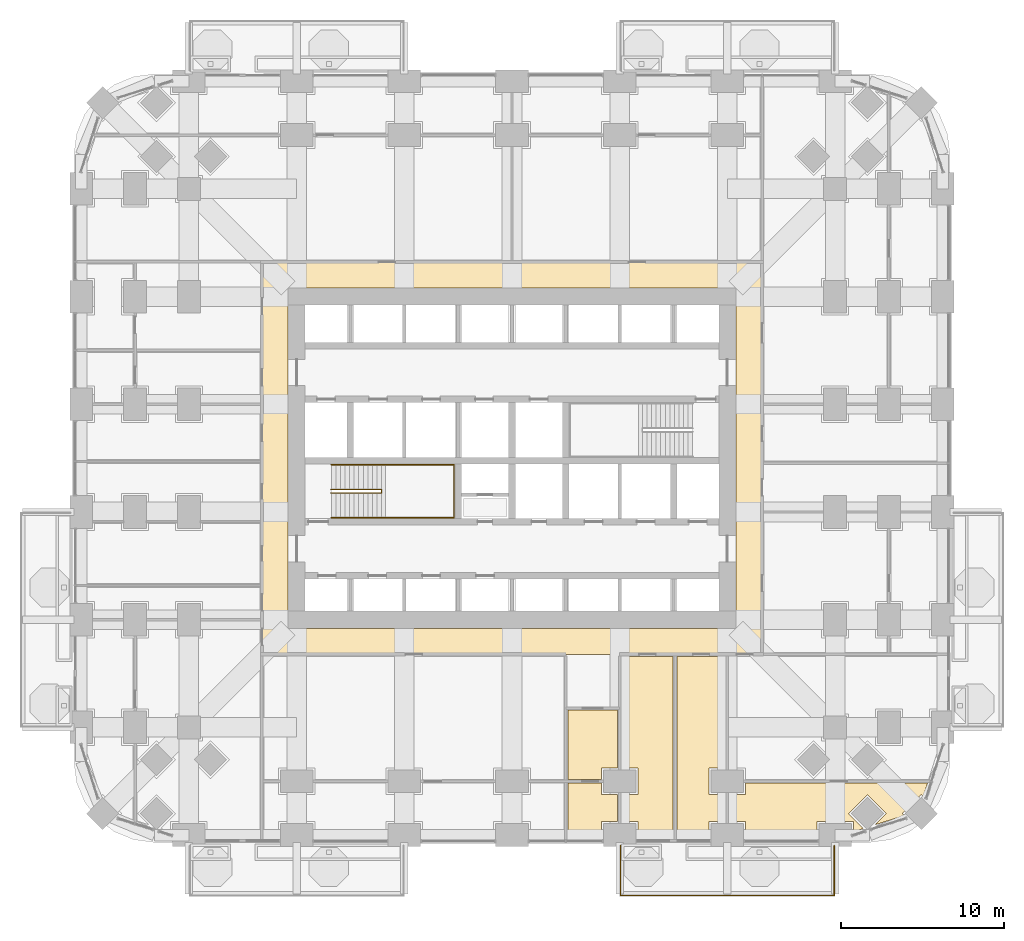
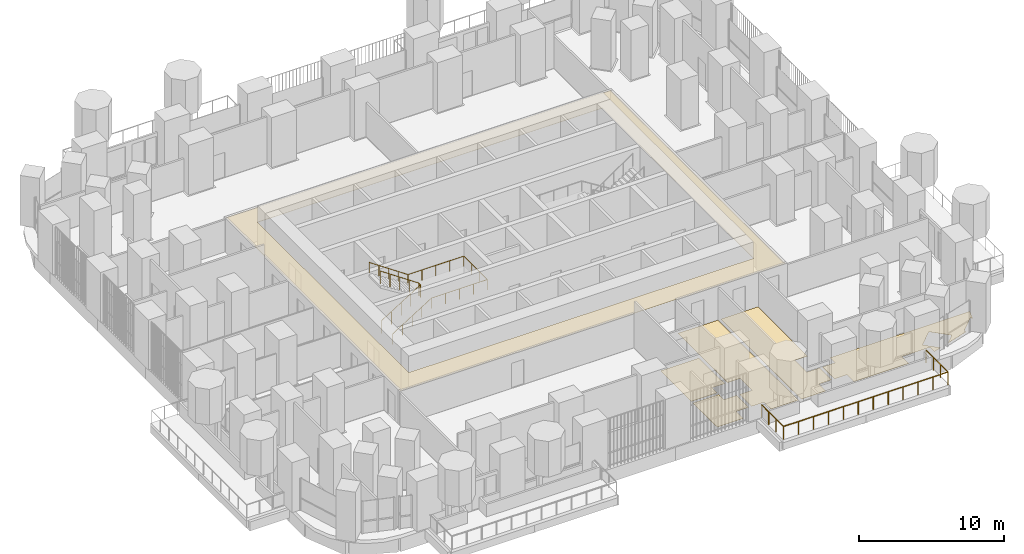
# One storey, part 22 of 25: 6 coverings, 3 railings.
"""IFC4 building model written with IfcOpenShell, lengths in metres."""

from ifc_helpers import new_model, si_unit, direction, frame, origin, place, context, subcontext, project, spatial, polyline, outline, extrude, material, layer, layer_set, type_object, element, save


model = new_model("IFC4")

# Units and contexts
model_context = context("Model", 3, precision=1e-05, world=origin(), true_north=direction((0.0, 1.0)))
body_context = subcontext(model_context, "Body", "Model", "MODEL_VIEW")
ifc_project = project(units=[si_unit("LENGTHUNIT", "METRE"), si_unit("AREAUNIT", "SQUARE_METRE"), si_unit("VOLUMEUNIT", "CUBIC_METRE"), si_unit("PLANEANGLEUNIT", "RADIAN"), si_unit("MASSUNIT", "GRAM", prefix="KILO")], contexts=[model_context])

# Site, building, storey
site_placement = place(None, origin())
site = spatial("IfcSite", under=ifc_project, at=site_placement, CompositionType="ELEMENT")
building_placement = place(site_placement, origin())
building = spatial("IfcBuilding", under=site, at=building_placement, Name="Cobogo Forest Laboratory Tower", CompositionType="ELEMENT")
storey_placement = place(building_placement, frame((0.0, 0.0, 21.300048828125)))
storey = spatial("IfcBuildingStorey", under=building, at=storey_placement, Name="L04", CompositionType="ELEMENT", Elevation=21.300048828125)

# Railing
ifc_material_1 = material(Name="Laminated glass balustrade", Category="glass")
railing_type_1 = type_object("IfcRailingType", Name="BG1 glass balustrade 1100", PredefinedType="GUARDRAIL", material=ifc_material_1)
railing_1_placement = place(storey_placement, frame((33.050048828125, -0.64990234375, 0.0)))
element("IfcRailing", 1, at=railing_1_placement, inside=storey, type_object=railing_type_1, Name="Balcony balustrade BAL-S2 L04", PredefinedType="GUARDRAIL", context=body_context, shape_type="SweptSolid", body=[
    extrude(outline(polyline([(0.022216796875, 0.00927734375), (0.00927734375, 0.022216796875), (-0.00927734375, 0.022216796875), (-0.022216796875, 0.00927734375), (-0.022216796875, -0.00927734375), (-0.00927734375, -0.022216796875), (0.00927734375, -0.022216796875), (0.022216796875, -0.00927734375), (0.022216796875, 0.00927734375)])), frame((0.0, 0.0, 1.077880859375), z_axis=(0.0, -1.0, 0.0), x_axis=(1.0, 0.0, 0.0)), (0.0, 0.0, 1.0), 3.050048828125),
    extrude(outline(polyline([(0.022216796875, 0.00927734375), (0.00927734375, 0.022216796875), (-0.00927734375, 0.022216796875), (-0.022216796875, 0.00927734375), (-0.022216796875, -0.00927734375), (-0.00927734375, -0.022216796875), (0.00927734375, -0.022216796875), (0.022216796875, -0.00927734375), (0.022216796875, 0.00927734375)])), frame((0.0, -3.050048828125, 1.077880859375), z_axis=(1.0, 0.0, 0.0), x_axis=(0.0, 1.0, 0.0)), (0.0, 0.0, 1.0), 13.099853515625),
    extrude(outline(polyline([(0.022216796875, 0.00927734375), (0.00927734375, 0.022216796875), (-0.00927734375, 0.022216796875), (-0.022216796875, 0.00927734375), (-0.022216796875, -0.00927734375), (-0.00927734375, -0.022216796875), (0.00927734375, -0.022216796875), (0.022216796875, -0.00927734375), (0.022216796875, 0.00927734375)])), frame((13.099853515625, -3.050048828125, 1.077880859375), z_axis=(0.0, 1.0, 0.0), x_axis=(-1.0, 0.0, 0.0)), (0.0, 0.0, 1.0), 3.050048828125),
    extrude(outline(polyline([(0.019287109375, 0.008056640625), (0.008056640625, 0.019287109375), (-0.008056640625, 0.019287109375), (-0.019287109375, 0.008056640625), (-0.019287109375, -0.008056640625), (-0.008056640625, -0.019287109375), (0.008056640625, -0.019287109375), (0.019287109375, -0.008056640625), (0.019287109375, 0.008056640625)])), origin(), (0.0, 0.0, 1.0), 1.077880859375),
    extrude(outline(polyline([(0.019287109375, 0.008056640625), (0.008056640625, 0.019287109375), (-0.008056640625, 0.019287109375), (-0.019287109375, 0.008056640625), (-0.019287109375, -0.008056640625), (-0.008056640625, -0.019287109375), (0.008056640625, -0.019287109375), (0.019287109375, -0.008056640625), (0.019287109375, 0.008056640625)])), frame((0.0, -1.0166015625, 0.0)), (0.0, 0.0, 1.0), 1.077880859375),
    extrude(outline(polyline([(0.019287109375, 0.008056640625), (0.008056640625, 0.019287109375), (-0.008056640625, 0.019287109375), (-0.019287109375, 0.008056640625), (-0.019287109375, -0.008056640625), (-0.008056640625, -0.019287109375), (0.008056640625, -0.019287109375), (0.019287109375, -0.008056640625), (0.019287109375, 0.008056640625)])), frame((0.0, -2.033447265625, 0.0)), (0.0, 0.0, 1.0), 1.077880859375),
    extrude(outline(polyline([(0.019287109375, 0.008056640625), (0.008056640625, 0.019287109375), (-0.008056640625, 0.019287109375), (-0.019287109375, 0.008056640625), (-0.019287109375, -0.008056640625), (-0.008056640625, -0.019287109375), (0.008056640625, -0.019287109375), (0.019287109375, -0.008056640625), (0.019287109375, 0.008056640625)])), frame((0.0, -3.050048828125, 0.0)), (0.0, 0.0, 1.0), 1.077880859375),
    extrude(outline(polyline([(0.019287109375, 0.008056640625), (0.008056640625, 0.019287109375), (-0.008056640625, 0.019287109375), (-0.019287109375, 0.008056640625), (-0.019287109375, -0.008056640625), (-0.008056640625, -0.019287109375), (0.008056640625, -0.019287109375), (0.019287109375, -0.008056640625), (0.019287109375, 0.008056640625)])), frame((1.19091796875, -3.050048828125, 0.0)), (0.0, 0.0, 1.0), 1.077880859375),
    extrude(outline(polyline([(0.019287109375, 0.008056640625), (0.008056640625, 0.019287109375), (-0.008056640625, 0.019287109375), (-0.019287109375, 0.008056640625), (-0.019287109375, -0.008056640625), (-0.008056640625, -0.019287109375), (0.008056640625, -0.019287109375), (0.019287109375, -0.008056640625), (0.019287109375, 0.008056640625)])), frame((2.3818359375, -3.050048828125, 0.0)), (0.0, 0.0, 1.0), 1.077880859375),
    extrude(outline(polyline([(0.019287109375, 0.008056640625), (0.008056640625, 0.019287109375), (-0.008056640625, 0.019287109375), (-0.019287109375, 0.008056640625), (-0.019287109375, -0.008056640625), (-0.008056640625, -0.019287109375), (0.008056640625, -0.019287109375), (0.019287109375, -0.008056640625), (0.019287109375, 0.008056640625)])), frame((3.57275390625, -3.050048828125, 0.0)), (0.0, 0.0, 1.0), 1.077880859375),
    extrude(outline(polyline([(0.019287109375, 0.008056640625), (0.008056640625, 0.019287109375), (-0.008056640625, 0.019287109375), (-0.019287109375, 0.008056640625), (-0.019287109375, -0.008056640625), (-0.008056640625, -0.019287109375), (0.008056640625, -0.019287109375), (0.019287109375, -0.008056640625), (0.019287109375, 0.008056640625)])), frame((4.763671875, -3.050048828125, 0.0)), (0.0, 0.0, 1.0), 1.077880859375),
    extrude(outline(polyline([(0.019287109375, 0.008056640625), (0.008056640625, 0.019287109375), (-0.008056640625, 0.019287109375), (-0.019287109375, 0.008056640625), (-0.019287109375, -0.008056640625), (-0.008056640625, -0.019287109375), (0.008056640625, -0.019287109375), (0.019287109375, -0.008056640625), (0.019287109375, 0.008056640625)])), frame((5.95458984375, -3.050048828125, 0.0)), (0.0, 0.0, 1.0), 1.077880859375),
    extrude(outline(polyline([(0.019287109375, 0.008056640625), (0.008056640625, 0.019287109375), (-0.008056640625, 0.019287109375), (-0.019287109375, 0.008056640625), (-0.019287109375, -0.008056640625), (-0.008056640625, -0.019287109375), (0.008056640625, -0.019287109375), (0.019287109375, -0.008056640625), (0.019287109375, 0.008056640625)])), frame((7.145263671875, -3.050048828125, 0.0)), (0.0, 0.0, 1.0), 1.077880859375),
    extrude(outline(polyline([(0.019287109375, 0.008056640625), (0.008056640625, 0.019287109375), (-0.008056640625, 0.019287109375), (-0.019287109375, 0.008056640625), (-0.019287109375, -0.008056640625), (-0.008056640625, -0.019287109375), (0.008056640625, -0.019287109375), (0.019287109375, -0.008056640625), (0.019287109375, 0.008056640625)])), frame((8.336181640625, -3.050048828125, 0.0)), (0.0, 0.0, 1.0), 1.077880859375),
    extrude(outline(polyline([(0.019287109375, 0.008056640625), (0.008056640625, 0.019287109375), (-0.008056640625, 0.019287109375), (-0.019287109375, 0.008056640625), (-0.019287109375, -0.008056640625), (-0.008056640625, -0.019287109375), (0.008056640625, -0.019287109375), (0.019287109375, -0.008056640625), (0.019287109375, 0.008056640625)])), frame((9.527099609375, -3.050048828125, 0.0)), (0.0, 0.0, 1.0), 1.077880859375),
    extrude(outline(polyline([(0.019287109375, 0.008056640625), (0.008056640625, 0.019287109375), (-0.008056640625, 0.019287109375), (-0.019287109375, 0.008056640625), (-0.019287109375, -0.008056640625), (-0.008056640625, -0.019287109375), (0.008056640625, -0.019287109375), (0.019287109375, -0.008056640625), (0.019287109375, 0.008056640625)])), frame((10.718017578125, -3.050048828125, 0.0)), (0.0, 0.0, 1.0), 1.077880859375),
    extrude(outline(polyline([(0.019287109375, 0.008056640625), (0.008056640625, 0.019287109375), (-0.008056640625, 0.019287109375), (-0.019287109375, 0.008056640625), (-0.019287109375, -0.008056640625), (-0.008056640625, -0.019287109375), (0.008056640625, -0.019287109375), (0.019287109375, -0.008056640625), (0.019287109375, 0.008056640625)])), frame((11.908935546875, -3.050048828125, 0.0)), (0.0, 0.0, 1.0), 1.077880859375),
    extrude(outline(polyline([(0.019287109375, 0.008056640625), (0.008056640625, 0.019287109375), (-0.008056640625, 0.019287109375), (-0.019287109375, 0.008056640625), (-0.019287109375, -0.008056640625), (-0.008056640625, -0.019287109375), (0.008056640625, -0.019287109375), (0.019287109375, -0.008056640625), (0.019287109375, 0.008056640625)])), frame((13.099853515625, -3.050048828125, 0.0)), (0.0, 0.0, 1.0), 1.077880859375),
    extrude(outline(polyline([(0.019287109375, 0.008056640625), (0.008056640625, 0.019287109375), (-0.008056640625, 0.019287109375), (-0.019287109375, 0.008056640625), (-0.019287109375, -0.008056640625), (-0.008056640625, -0.019287109375), (0.008056640625, -0.019287109375), (0.019287109375, -0.008056640625), (0.019287109375, 0.008056640625)])), frame((13.099853515625, -2.033447265625, 0.0)), (0.0, 0.0, 1.0), 1.077880859375),
    extrude(outline(polyline([(0.019287109375, 0.008056640625), (0.008056640625, 0.019287109375), (-0.008056640625, 0.019287109375), (-0.019287109375, 0.008056640625), (-0.019287109375, -0.008056640625), (-0.008056640625, -0.019287109375), (0.008056640625, -0.019287109375), (0.019287109375, -0.008056640625), (0.019287109375, 0.008056640625)])), frame((13.099853515625, -1.0166015625, 0.0)), (0.0, 0.0, 1.0), 1.077880859375),
    extrude(outline(polyline([(0.019287109375, 0.008056640625), (0.008056640625, 0.019287109375), (-0.008056640625, 0.019287109375), (-0.019287109375, 0.008056640625), (-0.019287109375, -0.008056640625), (-0.008056640625, -0.019287109375), (0.008056640625, -0.019287109375), (0.019287109375, -0.008056640625), (0.019287109375, 0.008056640625)])), frame((13.099853515625, 0.0, 0.0)), (0.0, 0.0, 1.0), 1.077880859375),
])

# Coverings
ifc_material_2 = material(Name="Mineral fibre ceiling tile", Category="ceiling")
ifc_layer_1 = layer(ifc_material_2, 0.02001953125)
ifc_layer_set_1 = layer_set([ifc_layer_1], Name="CL1 suspended ceiling")
covering_type_1 = type_object("IfcCoveringType", Name="CL1 suspended ceiling", PredefinedType="CEILING", material=ifc_layer_set_1)
covering_1_placement = place(storey_placement, frame((0.0, 0.0, 2.800048828125)))
element("IfcCovering", 2, at=covering_1_placement, inside=storey, type_object=covering_type_1, Name="Corridor ceiling L04", PredefinedType="CEILING", context=body_context, shape_type="SweptSolid", body=[
    extrude(outline(polyline([(11.074951171875, 11.074951171875), (11.074951171875, 35.125), (41.72509765625, 35.125), (41.72509765625, 11.074951171875), (11.074951171875, 11.074951171875)]), holes=[polyline([(40.125, 33.52490234375), (12.675048828125, 33.52490234375), (12.675048828125, 12.675048828125), (40.125, 12.675048828125), (40.125, 33.52490234375)])]), origin(), (0.0, 0.0, 1.0), 0.02001953125),
])
ifc_material_3 = material(Name="Carpet tile on raised access floor", Category="flooring")
ifc_layer_2 = layer(ifc_material_3, 0.008056640625)
ifc_layer_set_2 = layer_set([ifc_layer_2], Name="CT1 carpet tile floor 8")
covering_type_2 = type_object("IfcCoveringType", Name="CT1 carpet tile floor 8", PredefinedType="FLOORING", material=ifc_layer_set_2)
covering_2_placement = place(storey_placement, origin())
element("IfcCovering", 3, at=covering_2_placement, inside=storey, type_object=covering_type_2, Name="Carpet floor L04-04", PredefinedType="FLOORING", context=body_context, shape_type="SweptSolid", body=[
    extrude(outline(polyline([(31.8798828125, 3.179931640625), (31.8798828125, 2.47998046875), (32.8798828125, 2.47998046875), (32.8798828125, 0.820068359375), (31.8798828125, 0.820068359375), (31.8798828125, -0.14990234375), (29.820068359375, -0.14990234375), (29.820068359375, 3.179931640625), (31.8798828125, 3.179931640625)])), origin(), (0.0, 0.0, 1.0), 0.008056640625),
])
covering_3_placement = place(storey_placement, origin())
element("IfcCovering", 4, at=covering_3_placement, inside=storey, type_object=covering_type_2, Name="Carpet floor L04-05", PredefinedType="FLOORING", context=body_context, shape_type="SweptSolid", body=[
    extrude(outline(polyline([(36.280029296875, 10.955078125), (36.280029296875, -0.14990234375), (34.1201171875, -0.14990234375), (34.1201171875, 0.820068359375), (33.1201171875, 0.820068359375), (33.1201171875, 2.47998046875), (34.1201171875, 2.47998046875), (34.1201171875, 4.1201171875), (33.1201171875, 4.1201171875), (33.1201171875, 10.955078125), (36.280029296875, 10.955078125)])), origin(), (0.0, 0.0, 1.0), 0.008056640625),
])
covering_4_placement = place(storey_placement, origin())
element("IfcCovering", 5, at=covering_4_placement, inside=storey, type_object=covering_type_2, Name="Carpet floor L04-08", PredefinedType="FLOORING", context=body_context, shape_type="SweptSolid", body=[
    extrude(outline(polyline([(51.8603515625, 3.179931640625), (51.600830078125, 2.358642578125), (51.48193359375, 2.477783203125), (50.322265625, 1.318115234375), (50.441162109375, 1.19921875), (48.660400390625, 0.63671875), (49.341552734375, 1.318115234375), (48.181884765625, 2.477783203125), (47.022216796875, 1.318115234375), (47.933349609375, 0.406982421875), (47.320068359375, 0.21337890625), (47.320068359375, 0.820068359375), (45.080078125, 0.820068359375), (45.080078125, -0.14990234375), (40.719970703125, -0.14990234375), (40.719970703125, 0.820068359375), (39.719970703125, 0.820068359375), (39.719970703125, 2.47998046875), (40.719970703125, 2.47998046875), (40.719970703125, 3.179931640625), (51.8603515625, 3.179931640625)])), origin(), (0.0, 0.0, 1.0), 0.008056640625),
])

# Railings
ifc_material_4 = material(Name="Steel balustrade", Category="steel")
railing_type_2 = type_object("IfcRailingType", Name="GR stair guard 1100", PredefinedType="GUARDRAIL", material=ifc_material_4)
railing_2_placement = place(storey_placement, frame((15.324951171875, 20.969970703125, 0.175048828125)))
element("IfcRailing", 6, at=railing_2_placement, inside=storey, type_object=railing_type_2, Name="Stair guard ST1 L04", PredefinedType="GUARDRAIL", context=body_context, shape_type="SweptSolid", body=[
    extrude(outline(polyline([(0.022216796875, 0.00927734375), (0.00927734375, 0.022216796875), (-0.00927734375, 0.022216796875), (-0.022216796875, 0.00927734375), (-0.022216796875, -0.00927734375), (-0.00927734375, -0.022216796875), (0.00927734375, -0.022216796875), (0.022216796875, -0.00927734375), (0.022216796875, 0.00927734375)])), frame((0.0, 0.0, 1.077880859375), z_axis=(0.848028513186, 0.0, 0.529950602248), x_axis=(0.0, 1.0, 0.0)), (0.0, 0.0, 1.0), 3.632080078125),
    extrude(outline(polyline([(0.022216796875, 0.00927734375), (0.00927734375, 0.022216796875), (-0.00927734375, 0.022216796875), (-0.022216796875, 0.00927734375), (-0.022216796875, -0.00927734375), (-0.00927734375, -0.022216796875), (0.00927734375, -0.022216796875), (0.022216796875, -0.00927734375), (0.022216796875, 0.00927734375)])), frame((3.080078125, 0.0, 3.002685546875), z_axis=(0.0, 1.0, 0.0), x_axis=(-1.0, 0.0, 0.0)), (0.0, 0.0, 1.0), 0.2099609375),
    extrude(outline(polyline([(0.022216796875, 0.00927734375), (0.00927734375, 0.022216796875), (-0.00927734375, 0.022216796875), (-0.022216796875, 0.00927734375), (-0.022216796875, -0.00927734375), (-0.00927734375, -0.022216796875), (0.00927734375, -0.022216796875), (0.022216796875, -0.00927734375), (0.022216796875, 0.00927734375)])), frame((3.080078125, 0.2099609375, 3.002685546875), z_axis=(-0.826221800596, 0.0, 0.563344953133), x_axis=(0.0, -1.0, 0.0)), (0.0, 0.0, 1.0), 3.72802734375),
    extrude(outline(polyline([(0.019287109375, 0.008056640625), (0.008056640625, 0.019287109375), (-0.008056640625, 0.019287109375), (-0.019287109375, 0.008056640625), (-0.019287109375, -0.008056640625), (-0.008056640625, -0.019287109375), (0.008056640625, -0.019287109375), (0.019287109375, -0.008056640625), (0.019287109375, 0.008056640625)])), origin(), (0.0, 0.0, 1.0), 1.077880859375),
    extrude(outline(polyline([(0.019287109375, 0.008056640625), (0.008056640625, 0.019287109375), (-0.008056640625, 0.019287109375), (-0.019287109375, 0.008056640625), (-0.019287109375, -0.008056640625), (-0.008056640625, -0.019287109375), (0.008056640625, -0.019287109375), (0.019287109375, -0.008056640625), (0.019287109375, 0.008056640625)])), frame((0.77001953125, 0.0, 0.481201171875)), (0.0, 0.0, 1.0), 1.077880859375),
    extrude(outline(polyline([(0.019287109375, 0.008056640625), (0.008056640625, 0.019287109375), (-0.008056640625, 0.019287109375), (-0.019287109375, 0.008056640625), (-0.019287109375, -0.008056640625), (-0.008056640625, -0.019287109375), (0.008056640625, -0.019287109375), (0.019287109375, -0.008056640625), (0.019287109375, 0.008056640625)])), frame((1.5400390625, 0.0, 0.96240234375)), (0.0, 0.0, 1.0), 1.077880859375),
    extrude(outline(polyline([(0.019287109375, 0.008056640625), (0.008056640625, 0.019287109375), (-0.008056640625, 0.019287109375), (-0.019287109375, 0.008056640625), (-0.019287109375, -0.008056640625), (-0.008056640625, -0.019287109375), (0.008056640625, -0.019287109375), (0.019287109375, -0.008056640625), (0.019287109375, 0.008056640625)])), frame((2.31005859375, 0.0, 1.443603515625)), (0.0, 0.0, 1.0), 1.077880859375),
    extrude(outline(polyline([(0.019287109375, 0.008056640625), (0.008056640625, 0.019287109375), (-0.008056640625, 0.019287109375), (-0.019287109375, 0.008056640625), (-0.019287109375, -0.008056640625), (-0.008056640625, -0.019287109375), (0.008056640625, -0.019287109375), (0.019287109375, -0.008056640625), (0.019287109375, 0.008056640625)])), frame((3.080078125, 0.0, 1.9248046875)), (0.0, 0.0, 1.0), 1.077880859375),
    extrude(outline(polyline([(0.019287109375, 0.008056640625), (0.008056640625, 0.019287109375), (-0.008056640625, 0.019287109375), (-0.019287109375, 0.008056640625), (-0.019287109375, -0.008056640625), (-0.008056640625, -0.019287109375), (0.008056640625, -0.019287109375), (0.019287109375, -0.008056640625), (0.019287109375, 0.008056640625)])), frame((3.080078125, 0.2099609375, 1.9248046875)), (0.0, 0.0, 1.0), 1.077880859375),
    extrude(outline(polyline([(0.019287109375, 0.008056640625), (0.008056640625, 0.019287109375), (-0.008056640625, 0.019287109375), (-0.019287109375, 0.008056640625), (-0.019287109375, -0.008056640625), (-0.008056640625, -0.019287109375), (0.008056640625, -0.019287109375), (0.019287109375, -0.008056640625), (0.019287109375, 0.008056640625)])), frame((2.31005859375, 0.2099609375, 2.44970703125)), (0.0, 0.0, 1.0), 1.077880859375),
    extrude(outline(polyline([(0.019287109375, 0.008056640625), (0.008056640625, 0.019287109375), (-0.008056640625, 0.019287109375), (-0.019287109375, 0.008056640625), (-0.019287109375, -0.008056640625), (-0.008056640625, -0.019287109375), (0.008056640625, -0.019287109375), (0.019287109375, -0.008056640625), (0.019287109375, 0.008056640625)])), frame((1.5400390625, 0.2099609375, 2.974853515625)), (0.0, 0.0, 1.0), 1.077880859375),
    extrude(outline(polyline([(0.019287109375, 0.008056640625), (0.008056640625, 0.019287109375), (-0.008056640625, 0.019287109375), (-0.019287109375, 0.008056640625), (-0.019287109375, -0.008056640625), (-0.008056640625, -0.019287109375), (0.008056640625, -0.019287109375), (0.019287109375, -0.008056640625), (0.019287109375, 0.008056640625)])), frame((0.77001953125, 0.2099609375, 3.5)), (0.0, 0.0, 1.0), 1.077880859375),
    extrude(outline(polyline([(0.019287109375, 0.008056640625), (0.008056640625, 0.019287109375), (-0.008056640625, 0.019287109375), (-0.019287109375, 0.008056640625), (-0.019287109375, -0.008056640625), (-0.008056640625, -0.019287109375), (0.008056640625, -0.019287109375), (0.019287109375, -0.008056640625), (0.019287109375, 0.008056640625)])), frame((0.0, 0.2099609375, 4.02490234375)), (0.0, 0.0, 1.0), 1.077880859375),
])
ifc_material_5 = material(Name="Stainless steel handrail", Category="steel")
railing_type_3 = type_object("IfcRailingType", Name="HR handrail 900", PredefinedType="HANDRAIL", material=ifc_material_5)
railing_3_placement = place(storey_placement, frame((15.324951171875, 19.449951171875, 0.175048828125)))
element("IfcRailing", 7, at=railing_3_placement, inside=storey, type_object=railing_type_3, Name="Stair handrail ST1 L04", PredefinedType="HANDRAIL", context=body_context, shape_type="SweptSolid", body=[
    extrude(outline(polyline([(0.022216796875, 0.00927734375), (0.00927734375, 0.022216796875), (-0.00927734375, 0.022216796875), (-0.022216796875, 0.00927734375), (-0.022216796875, -0.00927734375), (-0.00927734375, -0.022216796875), (0.00927734375, -0.022216796875), (0.022216796875, -0.00927734375), (0.022216796875, 0.00927734375)])), frame((0.0, 0.0, 0.877685546875), z_axis=(0.848028513186, 0.0, 0.529950602248), x_axis=(0.0, 1.0, 0.0)), (0.0, 0.0, 1.0), 3.632080078125),
    extrude(outline(polyline([(0.022216796875, 0.00927734375), (0.00927734375, 0.022216796875), (-0.00927734375, 0.022216796875), (-0.022216796875, 0.00927734375), (-0.022216796875, -0.00927734375), (-0.00927734375, -0.022216796875), (0.00927734375, -0.022216796875), (0.022216796875, -0.00927734375), (0.022216796875, 0.00927734375)])), frame((3.080078125, 0.0, 2.802490234375), z_axis=(1.0, 0.0, 0.0), x_axis=(0.0, 1.0, 0.0)), (0.0, 0.0, 1.0), 4.445068359375),
    extrude(outline(polyline([(0.022216796875, 0.00927734375), (0.00927734375, 0.022216796875), (-0.00927734375, 0.022216796875), (-0.022216796875, 0.00927734375), (-0.022216796875, -0.00927734375), (-0.00927734375, -0.022216796875), (0.00927734375, -0.022216796875), (0.022216796875, -0.00927734375), (0.022216796875, 0.00927734375)])), frame((7.525146484375, 0.0, 2.802490234375), z_axis=(0.0, 1.0, 0.0), x_axis=(-1.0, 0.0, 0.0)), (0.0, 0.0, 1.0), 3.25),
    extrude(outline(polyline([(0.022216796875, 0.00927734375), (0.00927734375, 0.022216796875), (-0.00927734375, 0.022216796875), (-0.022216796875, 0.00927734375), (-0.022216796875, -0.00927734375), (-0.00927734375, -0.022216796875), (0.00927734375, -0.022216796875), (0.022216796875, -0.00927734375), (0.022216796875, 0.00927734375)])), frame((7.525146484375, 3.25, 2.802490234375), z_axis=(-1.0, 0.0, 0.0), x_axis=(0.0, -1.0, 0.0)), (0.0, 0.0, 1.0), 4.445068359375),
    extrude(outline(polyline([(0.022216796875, 0.00927734375), (0.00927734375, 0.022216796875), (-0.00927734375, 0.022216796875), (-0.022216796875, 0.00927734375), (-0.022216796875, -0.00927734375), (-0.00927734375, -0.022216796875), (0.00927734375, -0.022216796875), (0.022216796875, -0.00927734375), (0.022216796875, 0.00927734375)])), frame((3.080078125, 3.25, 2.802490234375), z_axis=(-0.826221800596, 0.0, 0.563344953133), x_axis=(0.0, -1.0, 0.0)), (0.0, 0.0, 1.0), 3.72802734375),
    extrude(outline(polyline([(0.019287109375, 0.008056640625), (0.008056640625, 0.019287109375), (-0.008056640625, 0.019287109375), (-0.019287109375, 0.008056640625), (-0.019287109375, -0.008056640625), (-0.008056640625, -0.019287109375), (0.008056640625, -0.019287109375), (0.019287109375, -0.008056640625), (0.019287109375, 0.008056640625)])), origin(), (0.0, 0.0, 1.0), 0.877685546875),
    extrude(outline(polyline([(0.019287109375, 0.008056640625), (0.008056640625, 0.019287109375), (-0.008056640625, 0.019287109375), (-0.019287109375, 0.008056640625), (-0.019287109375, -0.008056640625), (-0.008056640625, -0.019287109375), (0.008056640625, -0.019287109375), (0.019287109375, -0.008056640625), (0.019287109375, 0.008056640625)])), frame((0.77001953125, 0.0, 0.481201171875)), (0.0, 0.0, 1.0), 0.877685546875),
    extrude(outline(polyline([(0.019287109375, 0.008056640625), (0.008056640625, 0.019287109375), (-0.008056640625, 0.019287109375), (-0.019287109375, 0.008056640625), (-0.019287109375, -0.008056640625), (-0.008056640625, -0.019287109375), (0.008056640625, -0.019287109375), (0.019287109375, -0.008056640625), (0.019287109375, 0.008056640625)])), frame((1.5400390625, 0.0, 0.96240234375)), (0.0, 0.0, 1.0), 0.877685546875),
    extrude(outline(polyline([(0.019287109375, 0.008056640625), (0.008056640625, 0.019287109375), (-0.008056640625, 0.019287109375), (-0.019287109375, 0.008056640625), (-0.019287109375, -0.008056640625), (-0.008056640625, -0.019287109375), (0.008056640625, -0.019287109375), (0.019287109375, -0.008056640625), (0.019287109375, 0.008056640625)])), frame((2.31005859375, 0.0, 1.443603515625)), (0.0, 0.0, 1.0), 0.877685546875),
    extrude(outline(polyline([(0.019287109375, 0.008056640625), (0.008056640625, 0.019287109375), (-0.008056640625, 0.019287109375), (-0.019287109375, 0.008056640625), (-0.019287109375, -0.008056640625), (-0.008056640625, -0.019287109375), (0.008056640625, -0.019287109375), (0.019287109375, -0.008056640625), (0.019287109375, 0.008056640625)])), frame((3.080078125, 0.0, 1.9248046875)), (0.0, 0.0, 1.0), 0.877685546875),
    extrude(outline(polyline([(0.019287109375, 0.008056640625), (0.008056640625, 0.019287109375), (-0.008056640625, 0.019287109375), (-0.019287109375, 0.008056640625), (-0.019287109375, -0.008056640625), (-0.008056640625, -0.019287109375), (0.008056640625, -0.019287109375), (0.019287109375, -0.008056640625), (0.019287109375, 0.008056640625)])), frame((4.19140625, 0.0, 1.9248046875)), (0.0, 0.0, 1.0), 0.877685546875),
    extrude(outline(polyline([(0.019287109375, 0.008056640625), (0.008056640625, 0.019287109375), (-0.008056640625, 0.019287109375), (-0.019287109375, 0.008056640625), (-0.019287109375, -0.008056640625), (-0.008056640625, -0.019287109375), (0.008056640625, -0.019287109375), (0.019287109375, -0.008056640625), (0.019287109375, 0.008056640625)])), frame((5.302734375, 0.0, 1.9248046875)), (0.0, 0.0, 1.0), 0.877685546875),
    extrude(outline(polyline([(0.019287109375, 0.008056640625), (0.008056640625, 0.019287109375), (-0.008056640625, 0.019287109375), (-0.019287109375, 0.008056640625), (-0.019287109375, -0.008056640625), (-0.008056640625, -0.019287109375), (0.008056640625, -0.019287109375), (0.019287109375, -0.008056640625), (0.019287109375, 0.008056640625)])), frame((6.413818359375, 0.0, 1.9248046875)), (0.0, 0.0, 1.0), 0.877685546875),
    extrude(outline(polyline([(0.019287109375, 0.008056640625), (0.008056640625, 0.019287109375), (-0.008056640625, 0.019287109375), (-0.019287109375, 0.008056640625), (-0.019287109375, -0.008056640625), (-0.008056640625, -0.019287109375), (0.008056640625, -0.019287109375), (0.019287109375, -0.008056640625), (0.019287109375, 0.008056640625)])), frame((7.525146484375, 0.0, 1.9248046875)), (0.0, 0.0, 1.0), 0.877685546875),
    extrude(outline(polyline([(0.019287109375, 0.008056640625), (0.008056640625, 0.019287109375), (-0.008056640625, 0.019287109375), (-0.019287109375, 0.008056640625), (-0.019287109375, -0.008056640625), (-0.008056640625, -0.019287109375), (0.008056640625, -0.019287109375), (0.019287109375, -0.008056640625), (0.019287109375, 0.008056640625)])), frame((7.525146484375, 1.083251953125, 1.9248046875)), (0.0, 0.0, 1.0), 0.877685546875),
    extrude(outline(polyline([(0.019287109375, 0.008056640625), (0.008056640625, 0.019287109375), (-0.008056640625, 0.019287109375), (-0.019287109375, 0.008056640625), (-0.019287109375, -0.008056640625), (-0.008056640625, -0.019287109375), (0.008056640625, -0.019287109375), (0.019287109375, -0.008056640625), (0.019287109375, 0.008056640625)])), frame((7.525146484375, 2.166748046875, 1.9248046875)), (0.0, 0.0, 1.0), 0.877685546875),
    extrude(outline(polyline([(0.019287109375, 0.008056640625), (0.008056640625, 0.019287109375), (-0.008056640625, 0.019287109375), (-0.019287109375, 0.008056640625), (-0.019287109375, -0.008056640625), (-0.008056640625, -0.019287109375), (0.008056640625, -0.019287109375), (0.019287109375, -0.008056640625), (0.019287109375, 0.008056640625)])), frame((7.525146484375, 3.25, 1.9248046875)), (0.0, 0.0, 1.0), 0.877685546875),
    extrude(outline(polyline([(0.019287109375, 0.008056640625), (0.008056640625, 0.019287109375), (-0.008056640625, 0.019287109375), (-0.019287109375, 0.008056640625), (-0.019287109375, -0.008056640625), (-0.008056640625, -0.019287109375), (0.008056640625, -0.019287109375), (0.019287109375, -0.008056640625), (0.019287109375, 0.008056640625)])), frame((6.413818359375, 3.25, 1.9248046875)), (0.0, 0.0, 1.0), 0.877685546875),
    extrude(outline(polyline([(0.019287109375, 0.008056640625), (0.008056640625, 0.019287109375), (-0.008056640625, 0.019287109375), (-0.019287109375, 0.008056640625), (-0.019287109375, -0.008056640625), (-0.008056640625, -0.019287109375), (0.008056640625, -0.019287109375), (0.019287109375, -0.008056640625), (0.019287109375, 0.008056640625)])), frame((5.302734375, 3.25, 1.9248046875)), (0.0, 0.0, 1.0), 0.877685546875),
    extrude(outline(polyline([(0.019287109375, 0.008056640625), (0.008056640625, 0.019287109375), (-0.008056640625, 0.019287109375), (-0.019287109375, 0.008056640625), (-0.019287109375, -0.008056640625), (-0.008056640625, -0.019287109375), (0.008056640625, -0.019287109375), (0.019287109375, -0.008056640625), (0.019287109375, 0.008056640625)])), frame((4.19140625, 3.25, 1.9248046875)), (0.0, 0.0, 1.0), 0.877685546875),
    extrude(outline(polyline([(0.019287109375, 0.008056640625), (0.008056640625, 0.019287109375), (-0.008056640625, 0.019287109375), (-0.019287109375, 0.008056640625), (-0.019287109375, -0.008056640625), (-0.008056640625, -0.019287109375), (0.008056640625, -0.019287109375), (0.019287109375, -0.008056640625), (0.019287109375, 0.008056640625)])), frame((3.080078125, 3.25, 1.9248046875)), (0.0, 0.0, 1.0), 0.877685546875),
    extrude(outline(polyline([(0.019287109375, 0.008056640625), (0.008056640625, 0.019287109375), (-0.008056640625, 0.019287109375), (-0.019287109375, 0.008056640625), (-0.019287109375, -0.008056640625), (-0.008056640625, -0.019287109375), (0.008056640625, -0.019287109375), (0.019287109375, -0.008056640625), (0.019287109375, 0.008056640625)])), frame((2.31005859375, 3.25, 2.44970703125)), (0.0, 0.0, 1.0), 0.877685546875),
    extrude(outline(polyline([(0.019287109375, 0.008056640625), (0.008056640625, 0.019287109375), (-0.008056640625, 0.019287109375), (-0.019287109375, 0.008056640625), (-0.019287109375, -0.008056640625), (-0.008056640625, -0.019287109375), (0.008056640625, -0.019287109375), (0.019287109375, -0.008056640625), (0.019287109375, 0.008056640625)])), frame((1.5400390625, 3.25, 2.974853515625)), (0.0, 0.0, 1.0), 0.877685546875),
    extrude(outline(polyline([(0.019287109375, 0.008056640625), (0.008056640625, 0.019287109375), (-0.008056640625, 0.019287109375), (-0.019287109375, 0.008056640625), (-0.019287109375, -0.008056640625), (-0.008056640625, -0.019287109375), (0.008056640625, -0.019287109375), (0.019287109375, -0.008056640625), (0.019287109375, 0.008056640625)])), frame((0.77001953125, 3.25, 3.5)), (0.0, 0.0, 1.0), 0.877685546875),
    extrude(outline(polyline([(0.019287109375, 0.008056640625), (0.008056640625, 0.019287109375), (-0.008056640625, 0.019287109375), (-0.019287109375, 0.008056640625), (-0.019287109375, -0.008056640625), (-0.008056640625, -0.019287109375), (0.008056640625, -0.019287109375), (0.019287109375, -0.008056640625), (0.019287109375, 0.008056640625)])), frame((0.0, 3.25, 4.02490234375)), (0.0, 0.0, 1.0), 0.877685546875),
])

# Coverings
ifc_material_6 = material(Name="Epoxy resin flooring", Category="flooring")
ifc_layer_3 = layer(ifc_material_6, 0.00390625)
ifc_layer_set_3 = layer_set([ifc_layer_3], Name="LF1 epoxy laboratory floor 4")
covering_type_3 = type_object("IfcCoveringType", Name="LF1 epoxy laboratory floor 4", PredefinedType="FLOORING", material=ifc_layer_set_3)
covering_5_placement = place(storey_placement, origin())
element("IfcCovering", 8, at=covering_5_placement, inside=storey, type_object=covering_type_3, Name="Epoxy laboratory floor L04-03", PredefinedType="FLOORING", context=body_context, shape_type="SweptSolid", body=[
    extrude(outline(polyline([(29.820068359375, 7.655029296875), (32.8798828125, 7.655029296875), (32.8798828125, 4.1201171875), (31.8798828125, 4.1201171875), (31.8798828125, 3.419921875), (29.820068359375, 3.419921875), (29.820068359375, 7.655029296875)])), origin(), (0.0, 0.0, 1.0), 0.00390625),
])
ifc_material_7 = material(Name="Ceramic floor tile", Category="flooring")
ifc_layer_4 = layer(ifc_material_7, 0.010009765625)
ifc_layer_set_4 = layer_set([ifc_layer_4], Name="TF1 ceramic tile floor 10")
covering_type_4 = type_object("IfcCoveringType", Name="TF1 ceramic tile floor 10", PredefinedType="FLOORING", material=ifc_layer_set_4)
covering_6_placement = place(storey_placement, origin())
element("IfcCovering", 9, at=covering_6_placement, inside=storey, type_object=covering_type_4, Name="Tile floor L04-06", PredefinedType="FLOORING", context=body_context, shape_type="SweptSolid", body=[
    extrude(outline(polyline([(39.47998046875, 10.955078125), (39.47998046875, 4.1201171875), (38.47998046875, 4.1201171875), (38.47998046875, 2.47998046875), (39.47998046875, 2.47998046875), (39.47998046875, 0.820068359375), (38.47998046875, 0.820068359375), (38.47998046875, -0.14990234375), (36.52001953125, -0.14990234375), (36.52001953125, 10.955078125), (39.47998046875, 10.955078125)])), origin(), (0.0, 0.0, 1.0), 0.010009765625),
])

save(model, "model.ifc")
